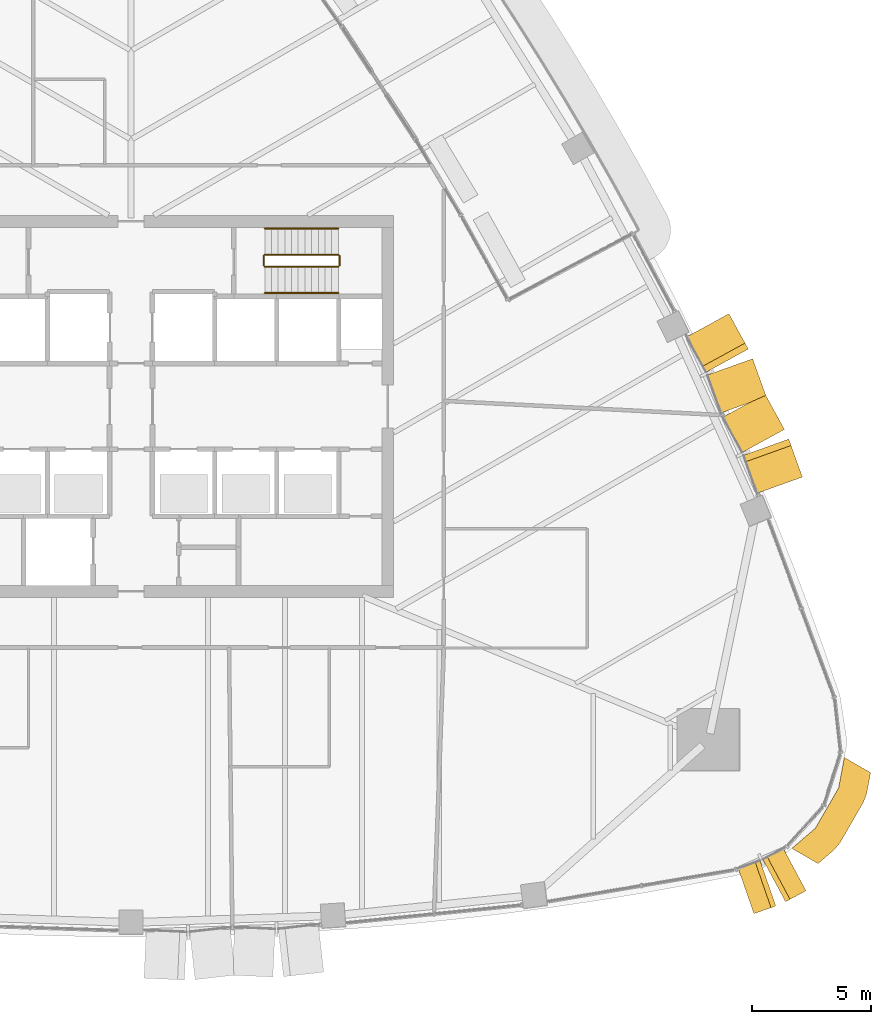
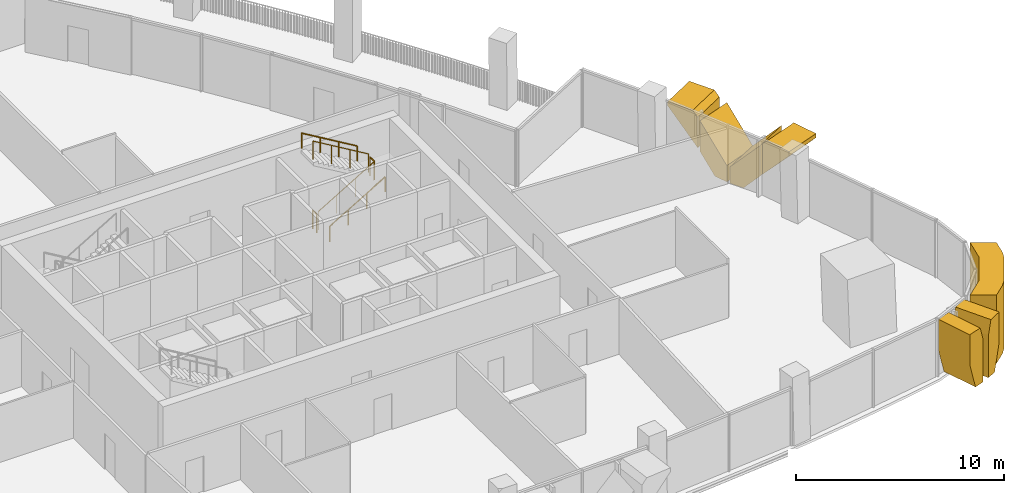
# One storey, part 18 of 21: 7 coverings, 6 railings.
"""IFC4 building model written with IfcOpenShell, lengths in metres."""

from ifc_helpers import new_model, si_unit, direction, frame, origin, origin_2d, place, context, subcontext, project, spatial, polyline, circle, outline, extrude, material, layer, layer_set, type_object, element, save


model = new_model("IFC4")

# Units and contexts
model_context = context("Model", 3, precision=1e-05, world=origin(), true_north=direction((0.0, 1.0)))
body_context = subcontext(model_context, "Body", "Model", "MODEL_VIEW")
ifc_project = project(units=[si_unit("LENGTHUNIT", "METRE"), si_unit("AREAUNIT", "SQUARE_METRE"), si_unit("VOLUMEUNIT", "CUBIC_METRE"), si_unit("PLANEANGLEUNIT", "RADIAN"), si_unit("MASSUNIT", "GRAM", prefix="KILO")], contexts=[model_context])

# Site, building, storey
site_placement = place(None, origin())
site = spatial("IfcSite", under=ifc_project, at=site_placement, CompositionType="ELEMENT")
building_placement = place(site_placement, origin())
building = spatial("IfcBuilding", under=site, at=building_placement, Name="Sierra Prisma Convention Tower", CompositionType="ELEMENT")
storey_placement = place(building_placement, frame((0.0, 0.0, 157.800048828125)))
storey = spatial("IfcBuildingStorey", under=building, at=storey_placement, Name="L34", CompositionType="ELEMENT", Elevation=157.800048828125)

# Coverings
ifc_material_1 = material(Name="Aluminium composite bronze anodised", Category="aluminium")
ifc_layer_1 = layer(ifc_material_1, 1.199951171875)
ifc_layer_set_1 = layer_set([ifc_layer_1], Name="Bronze corner pier")
covering_type_1 = type_object("IfcCoveringType", Name="Bronze corner pier", PredefinedType="CLADDING", material=ifc_layer_set_1)
covering_1_placement = place(storey_placement, frame((0.0, 0.0, -0.60009765625)))
element("IfcCovering", 1, at=covering_1_placement, inside=storey, type_object=covering_type_1, Name="Corner pier SE L34.1", PredefinedType="CLADDING", context=body_context, shape_type="SweptSolid", body=[
    extrude(outline(polyline([(30.6748046875, -16.5830078125), (29.69873046875, -18.2734375), (29.44091796875, -18.584228515625), (28.7763671875, -19.154296875), (27.6748046875, -18.518310546875), (28.659423828125, -17.673583984375), (29.635498046875, -15.983154296875), (29.874755859375, -14.707763671875), (30.976318359375, -15.34375), (30.81494140625, -16.204345703125), (30.6748046875, -16.5830078125)])), origin(), (0.0, 0.0, 1.0), 4.0),
])
ifc_material_2 = material(Name="Aluminium 6063-T6 bronze anodised", Category="aluminium")
ifc_layer_2 = layer(ifc_material_2, 2.0)
ifc_layer_set_2 = layer_set([ifc_layer_2], Name="Bronze crystal chevron frame")
covering_type_2 = type_object("IfcCoveringType", Name="Bronze crystal chevron frame", PredefinedType="CLADDING", material=ifc_layer_set_2)
covering_2_placement = place(storey_placement, frame((26.08642578125, -21.248291015625, 3.280029296875), z_axis=(0.328529065947, -0.944493860246, -2.8036486e-05), x_axis=(-9.210801e-06, 2.6480289e-05, -0.999999999607)))
element("IfcCovering", 2, at=covering_2_placement, inside=storey, type_object=covering_type_2, Name="CW-2 chevron frame SE1.1.1", PredefinedType="CLADDING", context=body_context, shape_type="SweptSolid", body=[
    extrude(outline(polyline([(0.0, 0.0), (1.7661132805558781, 0.0), (3.2800292957628754, 0.4153929155146546), (3.280029296185401, 0.9726989611804949), (0.7756347659196839, 0.9726989611804949), (-4.125584730199304e-09, 0.7599044569686749), (0.0, 0.0)])), origin(), (0.0, 0.0, -1.0), 2.0),
])
covering_3_placement = place(storey_placement, frame((27.4111328125, -20.750732421875, 0.0), z_axis=(0.47215438019, -0.88151587687, -9.698263e-06), x_axis=(0.881515876911, 0.472154380213, -1.273e-09)))
element("IfcCovering", 3, at=covering_3_placement, inside=storey, type_object=covering_type_2, Name="CW-2 chevron frame SE1.1.2", PredefinedType="CLADDING", context=body_context, shape_type="SweptSolid", body=[
    extrude(outline(polyline([(0.0, 0.0), (0.5572735269077111, -4.235164736271502e-22), (0.972657749267624, 1.5139160169686847), (0.9726577470202034, 3.2800292981356276), (0.2129915275624384, 3.2800292967601634), (-3.1869008504268666e-09, 2.504394531132223), (0.0, 0.0)])), origin(), (0.0, 0.0, -1.0), 2.0),
])
covering_4_placement = place(storey_placement, frame((28.116943359375, -2.96142578125, 3.280029296875), z_axis=(0.941354127147, 0.337420222486, -2.7572369e-05), x_axis=(-2.5955363e-05, -9.303475e-06, -0.99999999962)))
element("IfcCovering", 4, at=covering_4_placement, inside=storey, type_object=covering_type_2, Name="CW-2 chevron frame NE2.1.1", PredefinedType="CLADDING", context=body_context, shape_type="SweptSolid", body=[
    extrude(outline(polyline([(0.0, 0.0), (0.23901367178414668, 0.0), (2.101318358816238, 1.6901900607856053), (0.31567382824499324, 1.6901900607856053), (-1.5392170627585416e-09, 1.4038440244279613), (0.0, 0.0)])), origin(), (0.0, 0.0, -1.0), 2.0),
])
covering_5_placement = place(storey_placement, frame((27.36474609375, -0.966064453125, 2.821044921875), z_axis=(0.877000080178, 0.480490226801, 3.6288667e-05), x_axis=(3.1825164e-05, 1.743635e-05, -0.999999999342)))
element("IfcCovering", 5, at=covering_5_placement, inside=storey, type_object=covering_type_2, Name="CW-2 chevron frame NE2.1.2", PredefinedType="CLADDING", context=body_context, shape_type="SweptSolid", body=[
    extrude(outline(polyline([(0.0, 0.0), (1.7856445300742716, 0.0), (2.821044924995326, 0.939740894182058), (2.821044921381014, 1.6900336879046478), (1.8620605470124416, 1.6900336879046478), (0.0, 0.0)])), origin(), (0.0, 0.0, -1.0), 2.0),
])
covering_6_placement = place(storey_placement, frame((26.603759765625, 0.40283203125, 0.0), z_axis=(0.94135220563, 0.337425584323, -8.9146e-07), x_axis=(-0.337425584323, 0.94135220563, -3e-12)))
element("IfcCovering", 6, at=covering_6_placement, inside=storey, type_object=covering_type_2, Name="CW-2 chevron frame NE2.2.1", PredefinedType="CLADDING", context=body_context, shape_type="SweptSolid", body=[
    extrude(outline(polyline([(0.0, 0.0), (0.750303286579653, 2.6469779601696886e-23), (1.690190060804754, 1.035400390630325), (1.6901900607995632, 2.821044921879616), (-2.7878019131452217e-12, 0.9589843749996191), (0.0, 0.0)])), origin(), (0.0, 0.0, -1.0), 2.0),
])
covering_7_placement = place(storey_placement, frame((25.03955078125, 3.88037109375, 3.280029296875), z_axis=(0.87700455874, 0.480482048752, -6.9107198e-05), x_axis=(0.4804820499, -0.877004560834, 6.889e-09)))
element("IfcCovering", 7, at=covering_7_placement, inside=storey, type_object=covering_type_2, Name="CW-2 chevron frame NE2.2.2", PredefinedType="CLADDING", context=body_context, shape_type="SweptSolid", body=[
    extrude(outline(polyline([(0.0, 0.0), (1.4036691649412758, 0.0), (1.6900336860069558, 0.3156738405208328), (1.6900336737062924, 2.101318367506888), (-1.6464792614462332e-09, 0.23901367130425868), (0.0, 0.0)])), origin(), (0.0, 0.0, -1.0), 2.0),
])

# Railings
ifc_material_3 = material(Name="Stainless steel", Category="steel")
railing_type_1 = type_object("IfcRailingType", Name="Exit stair handrail", PredefinedType="HANDRAIL", material=ifc_material_3)
railing_1_placement = place(storey_placement, frame((5.60009765625, 4.75, 0.16650390625)))
element("IfcRailing", 8, at=railing_1_placement, inside=storey, type_object=railing_type_1, Name="L34 S4 stair handrail 1", PredefinedType="HANDRAIL", context=body_context, shape_type="SweptSolid", body=[
    extrude(circle(Radius=0.02392578125, at=origin_2d()), frame((0.0, 0.0, 0.8759765625), z_axis=(0.859260807169, 0.0, 0.511537745687), x_axis=(0.0, 1.0, 0.0)), (0.0, 0.0, 1.0), 3.584228515625),
    extrude(circle(Radius=0.02099609375, at=origin_2d()), origin(), (0.0, 0.0, 1.0), 0.851806640625),
    extrude(circle(Radius=0.02099609375, at=origin_2d()), frame((1.026611328125, 0.0, 0.611083984375)), (0.0, 0.0, 1.0), 0.851806640625),
    extrude(circle(Radius=0.02099609375, at=origin_2d()), frame((2.05322265625, 0.0, 1.222412109375)), (0.0, 0.0, 1.0), 0.851806640625),
    extrude(circle(Radius=0.02099609375, at=origin_2d()), frame((3.079833984375, 0.0, 1.83349609375)), (0.0, 0.0, 1.0), 0.851806640625),
])
railing_2_placement = place(storey_placement, frame((8.679931640625, 7.449951171875, 2.16650390625)))
element("IfcRailing", 9, at=railing_2_placement, inside=storey, type_object=railing_type_1, Name="L34 S4 stair handrail 2", PredefinedType="HANDRAIL", context=body_context, shape_type="SweptSolid", body=[
    extrude(circle(Radius=0.02392578125, at=origin_2d()), frame((0.0, 0.0, 0.8759765625), z_axis=(-0.859260807169, 0.0, 0.511537745687), x_axis=(0.0, -1.0, 0.0)), (0.0, 0.0, 1.0), 3.584228515625),
    extrude(circle(Radius=0.02099609375, at=origin_2d()), origin(), (0.0, 0.0, 1.0), 0.851806640625),
    extrude(circle(Radius=0.02099609375, at=origin_2d()), frame((-1.026611328125, 0.0, 0.611083984375)), (0.0, 0.0, 1.0), 0.851806640625),
    extrude(circle(Radius=0.02099609375, at=origin_2d()), frame((-2.05322265625, 0.0, 1.222412109375)), (0.0, 0.0, 1.0), 0.851806640625),
    extrude(circle(Radius=0.02099609375, at=origin_2d()), frame((-3.079833984375, 0.0, 1.83349609375)), (0.0, 0.0, 1.0), 0.851806640625),
])
ifc_material_4 = material(Name="Stainless steel", Category="steel")
railing_type_2 = type_object("IfcRailingType", Name="Stair guard 1100", PredefinedType="GUARDRAIL", material=ifc_material_4)
railing_3_placement = place(storey_placement, frame((5.60009765625, 5.85009765625, 0.16650390625)))
element("IfcRailing", 10, at=railing_3_placement, inside=storey, type_object=railing_type_2, Name="L34 S4 stair guard 1", PredefinedType="GUARDRAIL", context=body_context, shape_type="SweptSolid", body=[
    extrude(circle(Radius=0.02392578125, at=origin_2d()), frame((0.0, 0.0, 1.076171875), z_axis=(0.859260807169, 0.0, 0.511537745687), x_axis=(0.0, 1.0, 0.0)), (0.0, 0.0, 1.0), 3.584228515625),
    extrude(circle(Radius=0.02099609375, at=origin_2d()), origin(), (0.0, 0.0, 1.0), 1.052001953125),
    extrude(circle(Radius=0.02099609375, at=origin_2d()), frame((1.026611328125, 0.0, 0.611083984375)), (0.0, 0.0, 1.0), 1.052001953125),
    extrude(circle(Radius=0.02099609375, at=origin_2d()), frame((2.05322265625, 0.0, 1.222412109375)), (0.0, 0.0, 1.0), 1.052001953125),
    extrude(circle(Radius=0.02099609375, at=origin_2d()), frame((3.079833984375, 0.0, 1.83349609375)), (0.0, 0.0, 1.0), 1.052001953125),
])
railing_4_placement = place(storey_placement, frame((8.72998046875, 5.89990234375, 2.0)))
element("IfcRailing", 11, at=railing_4_placement, inside=storey, type_object=railing_type_2, Name="L34 S4 stair guard 2", PredefinedType="GUARDRAIL", context=body_context, shape_type="SweptSolid", body=[
    extrude(circle(Radius=0.02392578125, at=origin_2d()), frame((0.0, 0.0, 1.076171875), z_axis=(0.0, 1.0, 0.0), x_axis=(-1.0, 0.0, 0.0)), (0.0, 0.0, 1.0), 0.400146484375),
    extrude(circle(Radius=0.02099609375, at=origin_2d()), origin(), (0.0, 0.0, 1.0), 1.052001953125),
    extrude(circle(Radius=0.02099609375, at=origin_2d()), frame((0.0, 0.400146484375, 0.0)), (0.0, 0.0, 1.0), 1.052001953125),
])
railing_5_placement = place(storey_placement, frame((8.679931640625, 6.35009765625, 2.16650390625)))
element("IfcRailing", 12, at=railing_5_placement, inside=storey, type_object=railing_type_2, Name="L34 S4 stair guard 3", PredefinedType="GUARDRAIL", context=body_context, shape_type="SweptSolid", body=[
    extrude(circle(Radius=0.02392578125, at=origin_2d()), frame((0.0, 0.0, 1.076171875), z_axis=(-0.859260807169, 0.0, 0.511537745687), x_axis=(0.0, -1.0, 0.0)), (0.0, 0.0, 1.0), 3.584228515625),
    extrude(circle(Radius=0.02099609375, at=origin_2d()), origin(), (0.0, 0.0, 1.0), 1.052001953125),
    extrude(circle(Radius=0.02099609375, at=origin_2d()), frame((-1.026611328125, 0.0, 0.611083984375)), (0.0, 0.0, 1.0), 1.052001953125),
    extrude(circle(Radius=0.02099609375, at=origin_2d()), frame((-2.05322265625, 0.0, 1.222412109375)), (0.0, 0.0, 1.0), 1.052001953125),
    extrude(circle(Radius=0.02099609375, at=origin_2d()), frame((-3.079833984375, 0.0, 1.83349609375)), (0.0, 0.0, 1.0), 1.052001953125),
])
railing_6_placement = place(storey_placement, frame((5.550048828125, 5.89990234375, 0.0)))
element("IfcRailing", 13, at=railing_6_placement, inside=storey, type_object=railing_type_2, Name="L34 S4 stair guard 4", PredefinedType="GUARDRAIL", context=body_context, shape_type="SweptSolid", body=[
    extrude(circle(Radius=0.02392578125, at=origin_2d()), frame((0.0, 0.0, 1.076171875), z_axis=(0.0, 1.0, 0.0), x_axis=(-1.0, 0.0, 0.0)), (0.0, 0.0, 1.0), 0.400146484375),
    extrude(circle(Radius=0.02099609375, at=origin_2d()), origin(), (0.0, 0.0, 1.0), 1.052001953125),
    extrude(circle(Radius=0.02099609375, at=origin_2d()), frame((0.0, 0.400146484375, 0.0)), (0.0, 0.0, 1.0), 1.052001953125),
])

save(model, "model.ifc")
